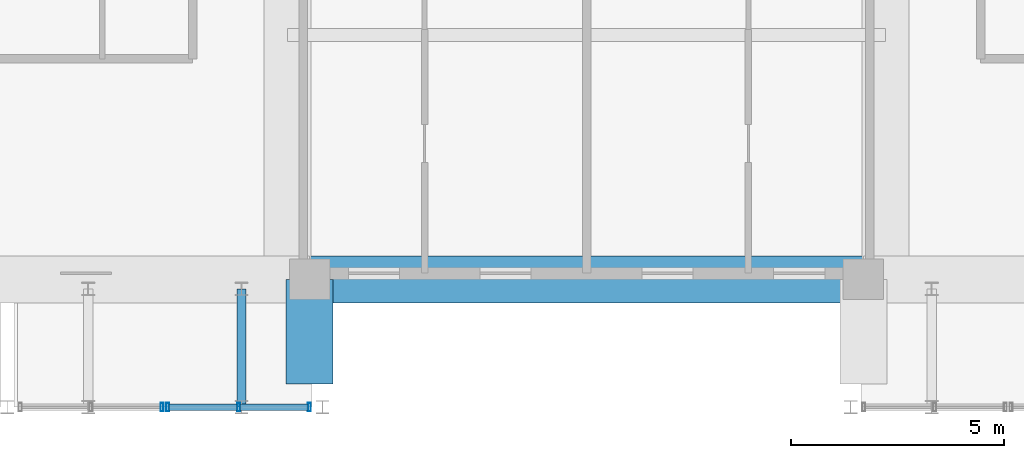
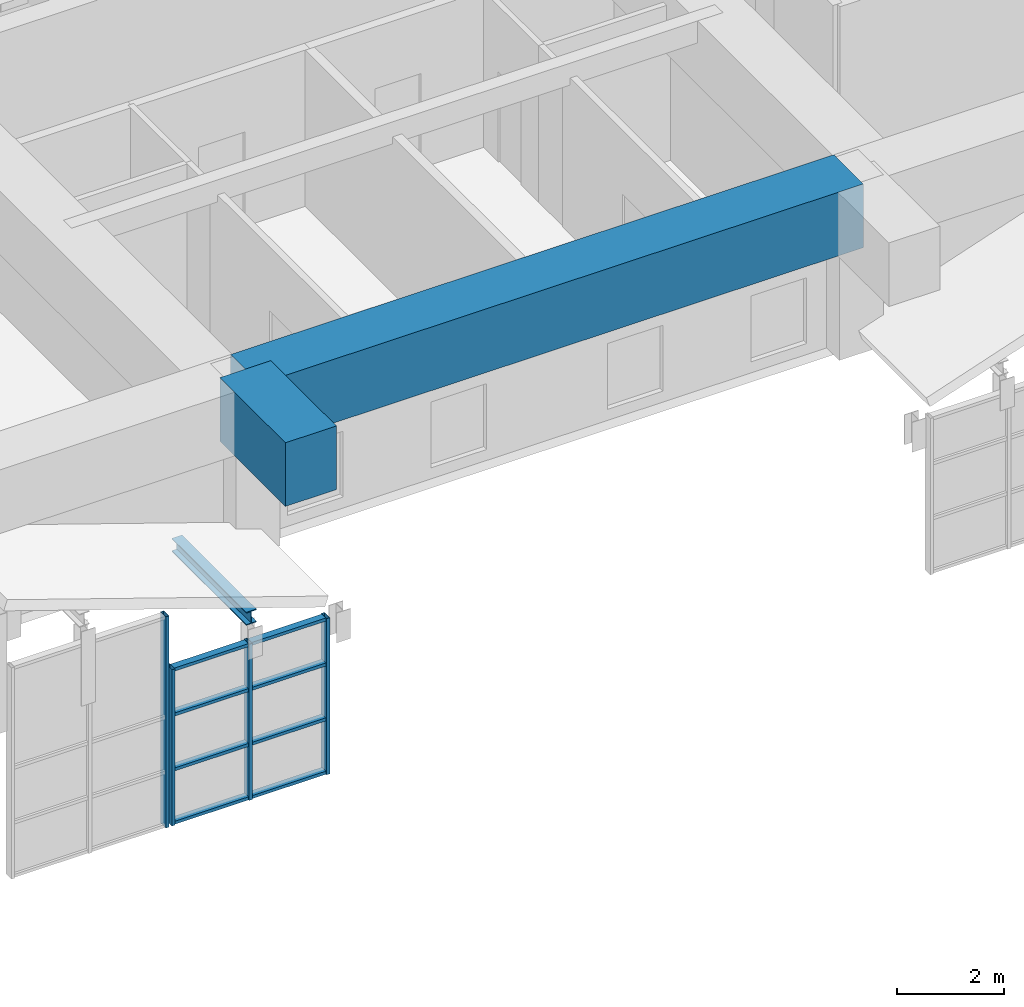
# One storey, part 6 of 45: 13 members, 2 beams, 2 elements without a shape of their own.
"""IFC4 building model written with IfcOpenShell, lengths in metres."""

from ifc_helpers import new_model, si_unit, direction, frame, origin, origin_2d, place, context, subcontext, project, spatial, rectangle, hollow_rectangle, i_section, extrude, source, transform, mapped, material, layer, layer_set, material_profile, profile_set, type_object, element, aggregate, save


model = new_model("IFC4")

# Units and contexts
model_context = context("Model", 3, precision=1e-05, world=origin(), true_north=direction((0.0, 1.0)))
body_context = subcontext(model_context, "Body", "Model", "MODEL_VIEW")
ifc_project = project(units=[si_unit("LENGTHUNIT", "METRE"), si_unit("AREAUNIT", "SQUARE_METRE"), si_unit("VOLUMEUNIT", "CUBIC_METRE"), si_unit("PLANEANGLEUNIT", "RADIAN"), si_unit("MASSUNIT", "GRAM", prefix="KILO")], contexts=[model_context])

# Site, building, storey
site_placement = place(None, origin())
site = spatial("IfcSite", under=ifc_project, at=site_placement, CompositionType="ELEMENT")
building_placement = place(site_placement, origin())
building = spatial("IfcBuilding", under=site, at=building_placement, Name="Saelheon Loggia Tower", CompositionType="ELEMENT")
storey_placement = place(building_placement, frame((0.0, 0.0, 152.199951171875)))
storey = spatial("IfcBuildingStorey", under=building, at=storey_placement, Name="L48", CompositionType="ELEMENT", Elevation=152.199951171875)

# Member
ifc_material_1 = material(Name="Steel SM355", Category="steel")
ifc_material_profile_1 = material_profile(ifc_material_1, i_section(OverallWidth=0.219970703125, OverallDepth=0.300048828125, WebThickness=0.011962890625, FlangeThickness=0.02001953125, at=origin_2d()), Name="H-300x220x12x20")
ifc_profile_set_1 = profile_set([ifc_material_profile_1], Name="Steel SM355")
member_type_1 = type_object("IfcMemberType", Name="Roof_ShoulderPurlin_RHS300", PredefinedType="PURLIN", material=ifc_profile_set_1)
shared_shape_1 = source(origin(), body_context, "Body", "SweptSolid", [
    extrude(i_section(OverallWidth=0.219970703125, OverallDepth=0.300048828125, WebThickness=0.011962890625, FlangeThickness=0.02001953125, at=origin_2d()), origin(), (0.0, 0.0, 1.0), 2.780029296875),
])
member_1_placement = place(storey_placement, frame((29.899169921875, 3.0, 0.628173828125), z_axis=(0.0, 1.0, 0.0), x_axis=(-1.0, 0.0, 0.0)))
element("IfcMember", 1, at=member_1_placement, inside=storey, type_object=member_type_1, Name="Tier 1 Wave Crest Rafter SW 02 B", PredefinedType="PURLIN", context=body_context, shape_type="MappedRepresentation", body=[
    mapped(shared_shape_1, transform((0.0, 0.0, 0.0), scale=1.0)),
])

# Beams
ifc_material_2 = material(Name="Concrete C50/60", Category="concrete")
ifc_material_profile_2 = material_profile(ifc_material_2, rectangle(XDim=1.10009765625, YDim=1.449951171875, at=origin_2d()), Name="RC-1100x1450")
ifc_profile_set_2 = profile_set([ifc_material_profile_2], Name="Concrete C50/60")
beam_type = type_object("IfcBeamType", Name="Beam_PerimTransfer_RC1100x1450", PredefinedType="BEAM", material=ifc_profile_set_2)
shared_shape_2 = source(origin(), body_context, "Body", "SweptSolid", [
    extrude(rectangle(XDim=1.10009765625, YDim=1.449951171875, at=origin_2d()), origin(), (0.0, 0.0, 1.0), 2.449951171875),
])
beam_1_placement = place(storey_placement, frame((31.5, 6.0, 3.175048828125), z_axis=(0.0, -1.0, 0.0), x_axis=(1.0, 0.0, 0.0)))
element("IfcBeam", 2, at=beam_1_placement, inside=storey, type_object=beam_type, Name="L48 Loggia Transfer Tie Beam LP-S1", PredefinedType="BEAM", context=body_context, shape_type="MappedRepresentation", body=[
    mapped(shared_shape_2, transform((0.0, 0.0, 0.0), scale=1.0)),
])
shared_shape_3 = source(origin(), body_context, "Body", "SweptSolid", [
    extrude(rectangle(XDim=1.10009765625, YDim=1.449951171875, at=origin_2d()), origin(), (0.0, 0.0, 1.0), 13.0),
])
beam_2_placement = place(storey_placement, frame((31.5, 6.0, 3.175048828125), z_axis=(1.0, 0.0, 0.0), x_axis=(0.0, 1.0, 0.0)))
element("IfcBeam", 3, at=beam_2_placement, inside=storey, type_object=beam_type, Name="L48 Perimeter Frame Girder 02", PredefinedType="BEAM", context=body_context, shape_type="MappedRepresentation", body=[
    mapped(shared_shape_3, transform((0.0, 0.0, 0.0), scale=1.0)),
])

# Curtain wall, members
ifc_material_3 = material(Name="Bronze-Anodised Aluminium and Fritted Ceramic Screen", Category="aluminium")
ifc_layer = layer(ifc_material_3, 0.219970703125)
ifc_layer_set = layer_set([ifc_layer], Name="Bronze-Anodised Aluminium and Fritted Ceramic Screen")
curtain_wall_type = type_object("IfcCurtainWallType", Name="CW_CrownScreen", PredefinedType="NOTDEFINED", material=ifc_layer_set)
curtain_wall_1_placement = place(storey_placement, origin())
curtain_wall_1 = element("IfcCurtainWall", 4, at=curtain_wall_1_placement, inside=storey, type_object=curtain_wall_type, Name="Tier 1 Wave Crest Glazing SW 02-2", PredefinedType="NOTDEFINED")
ifc_material_4 = material(Name="Bronze-Anodised Aluminium 6063-T6", Category="aluminium")
ifc_material_profile_3 = material_profile(ifc_material_4, hollow_rectangle(XDim=0.070068359375, YDim=0.199951171875, WallThickness=0.0048828125, at=origin_2d()), Name="RHS-200x70x5")
ifc_profile_set_3 = profile_set([ifc_material_profile_3], Name="Bronze-Anodised Aluminium 6063-T6")
member_type_2 = type_object("IfcMemberType", Name="CW_CrownScreen_Mullion", PredefinedType="MULLION", material=ifc_profile_set_3)
shared_shape_4 = source(origin(), body_context, "Body", "SweptSolid", [
    extrude(hollow_rectangle(XDim=0.070068359375, YDim=0.199951171875, WallThickness=0.0048828125, at=origin_2d()), origin(), (0.0, 0.0, 1.0), 3.56005859375),
])
member_2_placement = place(storey_placement, frame((28.1650390625, 3.0, -3.449951171875), z_axis=(0.0, 0.0, 1.0), x_axis=(1.0, 0.0, 0.0)))
member_2 = element("IfcMember", 5, at=member_2_placement, type_object=member_type_2, Name="CW6 mullion 1", PredefinedType="MULLION", context=body_context, shape_type="MappedRepresentation", body=[
    mapped(shared_shape_4, transform((0.0, 0.0, 0.0), scale=1.0)),
])
member_3_placement = place(storey_placement, frame((29.830078125, 3.0, -3.449951171875), z_axis=(0.0, 0.0, 1.0), x_axis=(1.0, 0.0, 0.0)))
member_3 = element("IfcMember", 6, at=member_3_placement, type_object=member_type_2, Name="CW6 mullion 2", PredefinedType="MULLION", context=body_context, shape_type="MappedRepresentation", body=[
    mapped(shared_shape_4, transform((0.0, 0.0, 0.0), scale=1.0)),
])
member_4_placement = place(storey_placement, frame((31.4951171875, 3.0, -3.449951171875), z_axis=(0.0, 0.0, 1.0), x_axis=(1.0, 0.0, 0.0)))
member_4 = element("IfcMember", 7, at=member_4_placement, type_object=member_type_2, Name="CW6 mullion 3", PredefinedType="MULLION", context=body_context, shape_type="MappedRepresentation", body=[
    mapped(shared_shape_4, transform((0.0, 0.0, 0.0), scale=1.0)),
])

# Curtain wall, member
curtain_wall_2_placement = place(storey_placement, origin())
curtain_wall_2 = element("IfcCurtainWall", 8, at=curtain_wall_2_placement, inside=storey, type_object=curtain_wall_type, Name="Tier 1 Wave Crest Glazing SW 02-1", PredefinedType="NOTDEFINED")
shared_shape_5 = source(origin(), body_context, "Body", "SweptSolid", [
    extrude(hollow_rectangle(XDim=0.070068359375, YDim=0.199951171875, WallThickness=0.0048828125, at=origin_2d()), origin(), (0.0, 0.0, 1.0), 4.81005859375),
])
member_5_placement = place(storey_placement, frame((28.034912109375, 3.0, -3.449951171875), z_axis=(0.0, 0.0, 1.0), x_axis=(1.0, 0.0, 0.0)))
member_5 = element("IfcMember", 9, at=member_5_placement, type_object=member_type_2, Name="CW6 mullion 3", PredefinedType="MULLION", context=body_context, shape_type="MappedRepresentation", body=[
    mapped(shared_shape_5, transform((0.0, 0.0, 0.0), scale=1.0)),
])
aggregate(curtain_wall_2, [member_5])

# Member
ifc_material_profile_4 = material_profile(ifc_material_4, hollow_rectangle(XDim=0.070068359375, YDim=0.14990234375, WallThickness=0.0048828125, at=origin_2d()), Name="RHS-150x70x5")
ifc_profile_set_4 = profile_set([ifc_material_profile_4], Name="Bronze-Anodised Aluminium 6063-T6")
member_type_3 = type_object("IfcMemberType", Name="CW_CrownScreen_Transom", PredefinedType="USERDEFINED", material=ifc_profile_set_4)
shared_shape_6 = source(origin(), body_context, "Body", "SweptSolid", [
    extrude(hollow_rectangle(XDim=0.070068359375, YDim=0.14990234375, WallThickness=0.0048828125, at=origin_2d()), origin(), (0.0, 0.0, 1.0), 1.594970703125),
])
member_6_placement = place(storey_placement, frame((28.199951171875, 3.0, -3.4150390625), z_axis=(1.0, 0.0, 0.0), x_axis=(0.0, 0.0, 1.0)))
member_6 = element("IfcMember", 10, at=member_6_placement, type_object=member_type_3, Name="CW6 transom 1.1", ObjectType="TRANSOM", PredefinedType="USERDEFINED", context=body_context, shape_type="MappedRepresentation", body=[
    mapped(shared_shape_6, transform((0.0, 0.0, 0.0), scale=1.0)),
])

member_7_placement = place(storey_placement, frame((28.199951171875, 3.0, -2.199951171875), z_axis=(1.0, 0.0, 0.0), x_axis=(0.0, 0.0, 1.0)))
member_7 = element("IfcMember", 11, at=member_7_placement, type_object=member_type_3, Name="CW6 transom 1.2", ObjectType="TRANSOM", PredefinedType="USERDEFINED", context=body_context, shape_type="MappedRepresentation", body=[
    mapped(shared_shape_6, transform((0.0, 0.0, 0.0), scale=1.0)),
])

member_8_placement = place(storey_placement, frame((28.199951171875, 3.0, -0.949951171875), z_axis=(1.0, 0.0, 0.0), x_axis=(0.0, 0.0, 1.0)))
member_8 = element("IfcMember", 12, at=member_8_placement, type_object=member_type_3, Name="CW6 transom 1.3", ObjectType="TRANSOM", PredefinedType="USERDEFINED", context=body_context, shape_type="MappedRepresentation", body=[
    mapped(shared_shape_6, transform((0.0, 0.0, 0.0), scale=1.0)),
])

member_9_placement = place(storey_placement, frame((28.199951171875, 3.0, 0.074951171875), z_axis=(1.0, 0.0, 0.0), x_axis=(0.0, 0.0, 1.0)))
member_9 = element("IfcMember", 13, at=member_9_placement, type_object=member_type_3, Name="CW6 transom 1.4", ObjectType="TRANSOM", PredefinedType="USERDEFINED", context=body_context, shape_type="MappedRepresentation", body=[
    mapped(shared_shape_6, transform((0.0, 0.0, 0.0), scale=1.0)),
])

member_10_placement = place(storey_placement, frame((29.864990234375, 3.0, -3.4150390625), z_axis=(1.0, 0.0, 0.0), x_axis=(0.0, 0.0, 1.0)))
member_10 = element("IfcMember", 14, at=member_10_placement, type_object=member_type_3, Name="CW6 transom 2.1", ObjectType="TRANSOM", PredefinedType="USERDEFINED", context=body_context, shape_type="MappedRepresentation", body=[
    mapped(shared_shape_6, transform((0.0, 0.0, 0.0), scale=1.0)),
])

member_11_placement = place(storey_placement, frame((29.864990234375, 3.0, -2.199951171875), z_axis=(1.0, 0.0, 0.0), x_axis=(0.0, 0.0, 1.0)))
member_11 = element("IfcMember", 15, at=member_11_placement, type_object=member_type_3, Name="CW6 transom 2.2", ObjectType="TRANSOM", PredefinedType="USERDEFINED", context=body_context, shape_type="MappedRepresentation", body=[
    mapped(shared_shape_6, transform((0.0, 0.0, 0.0), scale=1.0)),
])

member_12_placement = place(storey_placement, frame((29.864990234375, 3.0, -0.949951171875), z_axis=(1.0, 0.0, 0.0), x_axis=(0.0, 0.0, 1.0)))
member_12 = element("IfcMember", 16, at=member_12_placement, type_object=member_type_3, Name="CW6 transom 2.3", ObjectType="TRANSOM", PredefinedType="USERDEFINED", context=body_context, shape_type="MappedRepresentation", body=[
    mapped(shared_shape_6, transform((0.0, 0.0, 0.0), scale=1.0)),
])

member_13_placement = place(storey_placement, frame((29.864990234375, 3.0, 0.074951171875), z_axis=(1.0, 0.0, 0.0), x_axis=(0.0, 0.0, 1.0)))
member_13 = element("IfcMember", 17, at=member_13_placement, type_object=member_type_3, Name="CW6 transom 2.4", ObjectType="TRANSOM", PredefinedType="USERDEFINED", context=body_context, shape_type="MappedRepresentation", body=[
    mapped(shared_shape_6, transform((0.0, 0.0, 0.0), scale=1.0)),
])

aggregate(curtain_wall_1, [member_2, member_3, member_4, member_6, member_7, member_8, member_9, member_10, member_11, member_12, member_13])

save(model, "model.ifc")
